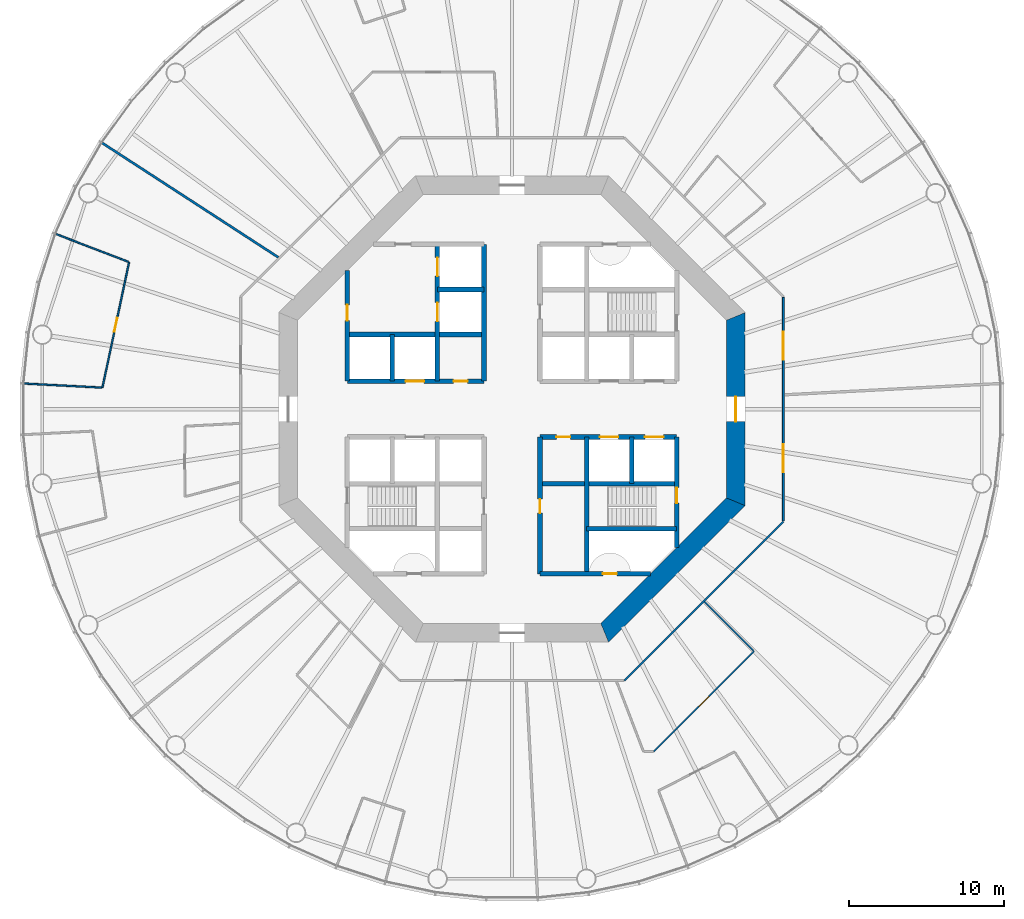
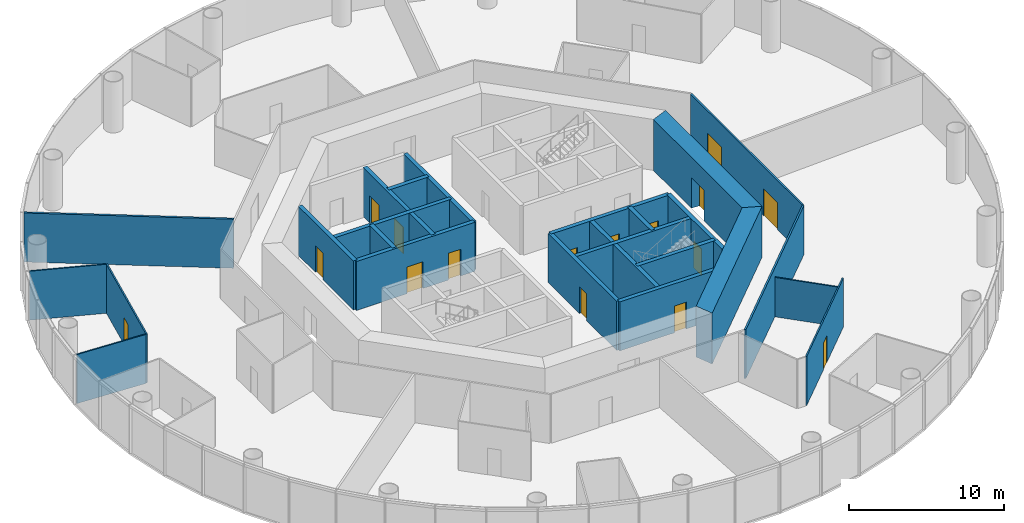
# One storey, part 4 of 13: 25 walls, 16 doors, 16 openings.
"""IFC4 building model written with IfcOpenShell, lengths in metres."""

from ifc_helpers import new_model, si_unit, direction, frame, frame_2d, origin, place, context, subcontext, project, spatial, polyline, rectangle, outline, extrude, material, layer, layer_set, type_object, element, fill, save


model = new_model("IFC4")

# Units and contexts
model_context = context("Model", 3, precision=1e-05, world=origin(), true_north=direction((0.0, 1.0)))
body_context = subcontext(model_context, "Body", "Model", "MODEL_VIEW")
ifc_project = project(units=[si_unit("LENGTHUNIT", "METRE"), si_unit("AREAUNIT", "SQUARE_METRE"), si_unit("VOLUMEUNIT", "CUBIC_METRE"), si_unit("PLANEANGLEUNIT", "RADIAN"), si_unit("MASSUNIT", "GRAM", prefix="KILO")], contexts=[model_context])

# Site, building, storey
site_placement = place(None, origin())
site = spatial("IfcSite", under=ifc_project, at=site_placement, CompositionType="ELEMENT")
building_placement = place(site_placement, origin())
building = spatial("IfcBuilding", under=site, at=building_placement, Name="Entoto Ring Tower", CompositionType="ELEMENT")
storey_placement = place(building_placement, frame((0.0, 0.0, 100.0)))
storey = spatial("IfcBuildingStorey", under=building, at=storey_placement, Name="L22", CompositionType="ELEMENT", Elevation=100.0)

# Wall, opening, door
ifc_material_1 = material(Name="Concrete C40/50", Category="concrete")
ifc_layer_1 = layer(ifc_material_1, 0.300048828125)
ifc_layer_set_1 = layer_set([ifc_layer_1], Name="Concrete C40/50")
wall_type_1 = type_object("IfcWallType", Name="Core enclosure wall 300 mm reinforced concrete", PredefinedType="SOLIDWALL", material=ifc_layer_set_1)
wall_1_placement = place(storey_placement, frame((100.60009765625, 71.083984375, 0.0), z_axis=(0.0, 0.0, 1.0), x_axis=(0.0, 1.0, 0.0)))
wall_1 = element("IfcWall", 1, at=wall_1_placement, inside=storey, type_object=wall_type_1, Name="wall-L22-001", PredefinedType="SOLIDWALL", context=body_context, shape_type="SweptSolid", body=[
    extrude(rectangle(XDim=7.115966796875, YDim=0.300048828125, at=frame_2d((3.55810546875, 0.0))), origin(), (0.0, 0.0, 1.0), 3.85009765625),
])
opening_1_placement = place(wall_1_placement, frame((2.8662109375, 0.0, 0.0)))
opening_1 = element("IfcOpeningElement", 2, at=opening_1_placement, cuts=wall_1, Name="Opening K-59", PredefinedType="OPENING", context=body_context, shape_type="SweptSolid", body=[
    extrude(rectangle(XDim=1.0, YDim=2.10009765625, at=frame_2d((0.5, 1.050048828125))), frame((0.0, 0.16015625, 0.0), z_axis=(0.0, -1.0, 0.0), x_axis=(1.0, 0.0, 0.0)), (0.0, 0.0, 1.0), 0.320068359375),
])
ifc_material_2 = material(Name="Steel door leaf, fire rated", Category="steel")
ifc_layer_2 = layer(ifc_material_2, 0.050048828125)
ifc_layer_set_2 = layer_set([ifc_layer_2], Name="Steel door leaf, fire rated")
door_type_1 = type_object("IfcDoorType", Name="Fire door FD60 1000 x 2100 single leaf", OperationType="NOTDEFINED", PredefinedType="DOOR", material=ifc_layer_set_2)
door_1_placement = place(opening_1_placement, origin())
door_1 = element("IfcDoor", 3, at=door_1_placement, inside=storey, type_object=door_type_1, Name="Door K-59", OperationType="SINGLE_SWING_RIGHT", OverallHeight=2.10009765625, OverallWidth=1.0, PredefinedType="DOOR", context=body_context, shape_type="SweptSolid", body=[
    extrude(rectangle(XDim=1.0, YDim=2.10009765625, at=frame_2d((0.5, 1.050048828125))), frame((0.0, 0.02490234375, 0.0), z_axis=(0.0, -1.0, 0.0), x_axis=(1.0, 0.0, 0.0)), (0.0, 0.0, 1.0), 0.050048828125),
])
fill(opening_1, door_1)

# Walls
wall_2_placement = place(storey_placement, frame((97.699951171875, 75.199951171875, 0.0), z_axis=(0.0, 0.0, 1.0), x_axis=(0.0, 1.0, 0.0)))
element("IfcWall", 4, at=wall_2_placement, inside=storey, type_object=wall_type_1, Name="wall-L22-003", PredefinedType="SOLIDWALL", context=body_context, shape_type="SweptSolid", body=[
    extrude(rectangle(XDim=3.0, YDim=0.300048828125, at=frame_2d((1.5, 0.0))), origin(), (0.0, 0.0, 1.0), 3.85009765625),
])
wall_3_placement = place(storey_placement, frame((94.800048828125, 69.39990234375, 0.0), z_axis=(0.0, 0.0, 1.0), x_axis=(0.0, 1.0, 0.0)))
element("IfcWall", 5, at=wall_3_placement, inside=storey, type_object=wall_type_1, Name="wall-L22-005", PredefinedType="SOLIDWALL", context=body_context, shape_type="SweptSolid", body=[
    extrude(rectangle(XDim=8.800048828125, YDim=0.300048828125, at=frame_2d((4.39990234375, 0.0))), origin(), (0.0, 0.0, 1.0), 3.85009765625),
])

# Wall, opening, door
wall_4_placement = place(storey_placement, frame((91.800048828125, 69.39990234375, 0.0), z_axis=(0.0, 0.0, 1.0), x_axis=(0.0, 1.0, 0.0)))
wall_4 = element("IfcWall", 6, at=wall_4_placement, inside=storey, type_object=wall_type_1, Name="wall-L22-007", PredefinedType="SOLIDWALL", context=body_context, shape_type="SweptSolid", body=[
    extrude(rectangle(XDim=8.800048828125, YDim=0.300048828125, at=frame_2d((4.39990234375, 0.0))), origin(), (0.0, 0.0, 1.0), 3.85009765625),
])
opening_2_placement = place(wall_4_placement, frame((3.89990234375, 0.0, 0.0)))
opening_2 = element("IfcOpeningElement", 7, at=opening_2_placement, cuts=wall_4, Name="Opening K-12", PredefinedType="OPENING", context=body_context, shape_type="SweptSolid", body=[
    extrude(rectangle(XDim=0.89990234375, YDim=2.10009765625, at=frame_2d((0.449951171875, 1.050048828125))), frame((0.0, 0.16015625, 0.0), z_axis=(0.0, -1.0, 0.0), x_axis=(1.0, 0.0, 0.0)), (0.0, 0.0, 1.0), 0.320068359375),
])
ifc_material_3 = material(Name="Steel door leaf, fire rated", Category="steel")
ifc_layer_3 = layer(ifc_material_3, 0.050048828125)
ifc_layer_set_3 = layer_set([ifc_layer_3], Name="Steel door leaf, fire rated")
door_type_2 = type_object("IfcDoorType", Name="Core door 900 x 2100 single leaf", OperationType="NOTDEFINED", PredefinedType="DOOR", material=ifc_layer_set_3)
door_2_placement = place(opening_2_placement, frame((0.89990234375, 0.0, 0.0), z_axis=(0.0, 0.0, 1.0), x_axis=(-1.0, 0.0, 0.0)))
door_2 = element("IfcDoor", 8, at=door_2_placement, inside=storey, type_object=door_type_2, Name="Door K-12", OperationType="SINGLE_SWING_LEFT", OverallHeight=2.10009765625, OverallWidth=0.89990234375, PredefinedType="DOOR", context=body_context, shape_type="SweptSolid", body=[
    extrude(rectangle(XDim=0.89990234375, YDim=2.10009765625, at=frame_2d((0.449951171875, 1.050048828125))), frame((0.0, 0.02490234375, 0.0), z_axis=(0.0, -1.0, 0.0), x_axis=(1.0, 0.0, 0.0)), (0.0, 0.0, 1.0), 0.050048828125),
])
fill(opening_2, door_2)

# Wall
wall_5_placement = place(storey_placement, frame((88.199951171875, 81.800048828125, 0.0), z_axis=(0.0, 0.0, 1.0), x_axis=(0.0, 1.0, 0.0)))
element("IfcWall", 9, at=wall_5_placement, inside=storey, type_object=wall_type_1, Name="wall-L22-010", PredefinedType="SOLIDWALL", context=body_context, shape_type="SweptSolid", body=[
    extrude(rectangle(XDim=8.800048828125, YDim=0.300048828125, at=frame_2d((4.39990234375, 0.0))), origin(), (0.0, 0.0, 1.0), 3.85009765625),
])

# Wall, openings, doors
wall_6_placement = place(storey_placement, frame((85.199951171875, 81.800048828125, 0.0), z_axis=(0.0, 0.0, 1.0), x_axis=(0.0, 1.0, 0.0)))
wall_6 = element("IfcWall", 10, at=wall_6_placement, inside=storey, type_object=wall_type_1, Name="wall-L22-012", PredefinedType="SOLIDWALL", context=body_context, shape_type="SweptSolid", body=[
    extrude(rectangle(XDim=8.800048828125, YDim=0.300048828125, at=frame_2d((4.39990234375, 0.0))), origin(), (0.0, 0.0, 1.0), 3.85009765625),
])
opening_3_placement = place(wall_6_placement, frame((3.85009765625, 0.0, 0.0)))
opening_3 = element("IfcOpeningElement", 11, at=opening_3_placement, cuts=wall_6, Name="Opening LD", PredefinedType="OPENING", context=body_context, shape_type="SweptSolid", body=[
    extrude(rectangle(XDim=1.199951171875, YDim=2.10009765625, at=frame_2d((0.60009765625, 1.050048828125))), frame((0.0, 0.16015625, 0.0), z_axis=(0.0, -1.0, 0.0), x_axis=(1.0, 0.0, 0.0)), (0.0, 0.0, 1.0), 0.320068359375),
])
opening_4_placement = place(wall_6_placement, frame((6.75, 0.0, 0.0)))
opening_4 = element("IfcOpeningElement", 12, at=opening_4_placement, cuts=wall_6, Name="Opening LD", PredefinedType="OPENING", context=body_context, shape_type="SweptSolid", body=[
    extrude(rectangle(XDim=1.199951171875, YDim=2.10009765625, at=frame_2d((0.60009765625, 1.050048828125))), frame((0.0, 0.16015625, 0.0), z_axis=(0.0, -1.0, 0.0), x_axis=(1.0, 0.0, 0.0)), (0.0, 0.0, 1.0), 0.320068359375),
])
ifc_material_4 = material(Name="Steel and glass door leaf", Category="steel")
ifc_layer_4 = layer(ifc_material_4, 0.050048828125)
ifc_layer_set_4 = layer_set([ifc_layer_4], Name="Steel and glass door leaf")
door_type_3 = type_object("IfcDoorType", Name="Landing door 1200 x 2100 sliding", OperationType="DOUBLE_DOOR_SLIDING", PredefinedType="DOOR", material=ifc_layer_set_4)
door_3_placement = place(opening_3_placement, origin())
door_3 = element("IfcDoor", 13, at=door_3_placement, inside=storey, type_object=door_type_3, Name="Landing door FF1", OperationType="SLIDING_TO_RIGHT", OverallHeight=2.10009765625, OverallWidth=1.199951171875, PredefinedType="DOOR", context=body_context, shape_type="SweptSolid", body=[
    extrude(rectangle(XDim=1.199951171875, YDim=2.10009765625, at=frame_2d((0.60009765625, 1.050048828125))), frame((0.0, 0.02490234375, 0.0), z_axis=(0.0, -1.0, 0.0), x_axis=(1.0, 0.0, 0.0)), (0.0, 0.0, 1.0), 0.050048828125),
])
fill(opening_3, door_3)
door_4_placement = place(opening_4_placement, origin())
door_4 = element("IfcDoor", 14, at=door_4_placement, inside=storey, type_object=door_type_3, Name="Landing door FF2", OperationType="SLIDING_TO_RIGHT", OverallHeight=2.10009765625, OverallWidth=1.199951171875, PredefinedType="DOOR", context=body_context, shape_type="SweptSolid", body=[
    extrude(rectangle(XDim=1.199951171875, YDim=2.10009765625, at=frame_2d((0.60009765625, 1.050048828125))), frame((0.0, 0.02490234375, 0.0), z_axis=(0.0, -1.0, 0.0), x_axis=(1.0, 0.0, 0.0)), (0.0, 0.0, 1.0), 0.050048828125),
])
fill(opening_4, door_4)

# Wall
wall_7_placement = place(storey_placement, frame((82.300048828125, 81.800048828125, 0.0), z_axis=(0.0, 0.0, 1.0), x_axis=(0.0, 1.0, 0.0)))
element("IfcWall", 15, at=wall_7_placement, inside=storey, type_object=wall_type_1, Name="wall-L22-014", PredefinedType="SOLIDWALL", context=body_context, shape_type="SweptSolid", body=[
    extrude(rectangle(XDim=3.0, YDim=0.300048828125, at=frame_2d((1.5, 0.0))), origin(), (0.0, 0.0, 1.0), 3.85009765625),
])

# Wall, opening, door
wall_8_placement = place(storey_placement, frame((79.39990234375, 81.800048828125, 0.0), z_axis=(0.0, 0.0, 1.0), x_axis=(0.0, 1.0, 0.0)))
wall_8 = element("IfcWall", 16, at=wall_8_placement, inside=storey, type_object=wall_type_1, Name="wall-L22-016", PredefinedType="SOLIDWALL", context=body_context, shape_type="SweptSolid", body=[
    extrude(rectangle(XDim=7.115966796875, YDim=0.300048828125, at=frame_2d((3.55810546875, 0.0))), origin(), (0.0, 0.0, 1.0), 3.85009765625),
])
opening_5_placement = place(wall_8_placement, frame((3.89990234375, 0.0, 0.0)))
opening_5 = element("IfcOpeningElement", 17, at=opening_5_placement, cuts=wall_8, Name="Opening K-22", PredefinedType="OPENING", context=body_context, shape_type="SweptSolid", body=[
    extrude(rectangle(XDim=1.0, YDim=2.10009765625, at=frame_2d((0.5, 1.050048828125))), frame((0.0, 0.16015625, 0.0), z_axis=(0.0, -1.0, 0.0), x_axis=(1.0, 0.0, 0.0)), (0.0, 0.0, 1.0), 0.320068359375),
])
door_5_placement = place(opening_5_placement, frame((1.0, 0.0, 0.0), z_axis=(0.0, 0.0, 1.0), x_axis=(-1.0, 0.0, 0.0)))
door_5 = element("IfcDoor", 18, at=door_5_placement, inside=storey, type_object=door_type_1, Name="Door K-22", OperationType="SINGLE_SWING_LEFT", OverallHeight=2.10009765625, OverallWidth=1.0, PredefinedType="DOOR", context=body_context, shape_type="SweptSolid", body=[
    extrude(rectangle(XDim=1.0, YDim=2.10009765625, at=frame_2d((0.5, 1.050048828125))), frame((0.0, 0.02490234375, 0.0), z_axis=(0.0, -1.0, 0.0), x_axis=(1.0, 0.0, 0.0)), (0.0, 0.0, 1.0), 0.050048828125),
])
fill(opening_5, door_5)

wall_9_placement = place(storey_placement, frame((91.800048828125, 69.39990234375, 0.0), z_axis=(0.0, 0.0, 1.0), x_axis=(1.0, 0.0, 0.0)))
wall_9 = element("IfcWall", 19, at=wall_9_placement, inside=storey, type_object=wall_type_1, Name="wall-L22-018", PredefinedType="SOLIDWALL", context=body_context, shape_type="SweptSolid", body=[
    extrude(rectangle(XDim=7.115966796875, YDim=0.300048828125, at=frame_2d((3.55810546875, 0.0))), origin(), (0.0, 0.0, 1.0), 3.85009765625),
])
opening_6_placement = place(wall_9_placement, frame((4.050048828125, 0.0, 0.0)))
opening_6 = element("IfcOpeningElement", 20, at=opening_6_placement, cuts=wall_9, Name="Opening K-66", PredefinedType="OPENING", context=body_context, shape_type="SweptSolid", body=[
    extrude(rectangle(XDim=0.89990234375, YDim=2.10009765625, at=frame_2d((0.449951171875, 1.050048828125))), frame((0.0, 0.16015625, 0.0), z_axis=(0.0, -1.0, 0.0), x_axis=(1.0, 0.0, 0.0)), (0.0, 0.0, 1.0), 0.320068359375),
])
ifc_material_5 = material(Name="Steel door leaf, fire rated", Category="steel")
ifc_layer_5 = layer(ifc_material_5, 0.050048828125)
ifc_layer_set_5 = layer_set([ifc_layer_5], Name="Steel door leaf, fire rated")
door_type_4 = type_object("IfcDoorType", Name="Riser door FD60 900 x 2100 single leaf", OperationType="NOTDEFINED", PredefinedType="DOOR", material=ifc_layer_set_5)
door_6_placement = place(opening_6_placement, origin())
door_6 = element("IfcDoor", 21, at=door_6_placement, inside=storey, type_object=door_type_4, Name="Door K-66", OperationType="SINGLE_SWING_LEFT", OverallHeight=2.10009765625, OverallWidth=0.89990234375, PredefinedType="DOOR", context=body_context, shape_type="SweptSolid", body=[
    extrude(rectangle(XDim=0.89990234375, YDim=2.10009765625, at=frame_2d((0.449951171875, 1.050048828125))), frame((0.0, 0.02490234375, 0.0), z_axis=(0.0, -1.0, 0.0), x_axis=(1.0, 0.0, 0.0)), (0.0, 0.0, 1.0), 0.050048828125),
])
fill(opening_6, door_6)

# Walls
wall_10_placement = place(storey_placement, frame((94.800048828125, 72.300048828125, 0.0), z_axis=(0.0, 0.0, 1.0), x_axis=(1.0, 0.0, 0.0)))
element("IfcWall", 22, at=wall_10_placement, inside=storey, type_object=wall_type_1, Name="wall-L22-020", PredefinedType="SOLIDWALL", context=body_context, shape_type="SweptSolid", body=[
    extrude(rectangle(XDim=5.800048828125, YDim=0.300048828125, at=frame_2d((2.89990234375, 0.0))), origin(), (0.0, 0.0, 1.0), 3.85009765625),
])
wall_11_placement = place(storey_placement, frame((91.800048828125, 75.199951171875, 0.0), z_axis=(0.0, 0.0, 1.0), x_axis=(1.0, 0.0, 0.0)))
element("IfcWall", 23, at=wall_11_placement, inside=storey, type_object=wall_type_1, Name="wall-L22-022", PredefinedType="SOLIDWALL", context=body_context, shape_type="SweptSolid", body=[
    extrude(rectangle(XDim=8.800048828125, YDim=0.300048828125, at=frame_2d((4.39990234375, 0.0))), origin(), (0.0, 0.0, 1.0), 3.85009765625),
])

# Wall, openings, doors
wall_12_placement = place(storey_placement, frame((91.800048828125, 78.199951171875, 0.0), z_axis=(0.0, 0.0, 1.0), x_axis=(1.0, 0.0, 0.0)))
wall_12 = element("IfcWall", 24, at=wall_12_placement, inside=storey, type_object=wall_type_1, Name="wall-L22-024", PredefinedType="SOLIDWALL", context=body_context, shape_type="SweptSolid", body=[
    extrude(rectangle(XDim=8.800048828125, YDim=0.300048828125, at=frame_2d((4.39990234375, 0.0))), origin(), (0.0, 0.0, 1.0), 3.85009765625),
])
opening_7_placement = place(wall_12_placement, frame((3.85009765625, 0.0, 0.0)))
opening_7 = element("IfcOpeningElement", 25, at=opening_7_placement, cuts=wall_12, Name="Opening LD", PredefinedType="OPENING", context=body_context, shape_type="SweptSolid", body=[
    extrude(rectangle(XDim=1.199951171875, YDim=2.10009765625, at=frame_2d((0.60009765625, 1.050048828125))), frame((0.0, 0.16015625, 0.0), z_axis=(0.0, -1.0, 0.0), x_axis=(1.0, 0.0, 0.0)), (0.0, 0.0, 1.0), 0.320068359375),
])
opening_8_placement = place(wall_12_placement, frame((6.75, 0.0, 0.0)))
opening_8 = element("IfcOpeningElement", 26, at=opening_8_placement, cuts=wall_12, Name="Opening LD", PredefinedType="OPENING", context=body_context, shape_type="SweptSolid", body=[
    extrude(rectangle(XDim=1.199951171875, YDim=2.10009765625, at=frame_2d((0.60009765625, 1.050048828125))), frame((0.0, 0.16015625, 0.0), z_axis=(0.0, -1.0, 0.0), x_axis=(1.0, 0.0, 0.0)), (0.0, 0.0, 1.0), 0.320068359375),
])
opening_9_placement = place(wall_12_placement, frame((1.050048828125, 0.0, 0.0)))
opening_9 = element("IfcOpeningElement", 27, at=opening_9_placement, cuts=wall_12, Name="Opening K-15", PredefinedType="OPENING", context=body_context, shape_type="SweptSolid", body=[
    extrude(rectangle(XDim=0.89990234375, YDim=2.10009765625, at=frame_2d((0.449951171875, 1.050048828125))), frame((0.0, 0.16015625, 0.0), z_axis=(0.0, -1.0, 0.0), x_axis=(1.0, 0.0, 0.0)), (0.0, 0.0, 1.0), 0.320068359375),
])
door_7_placement = place(opening_9_placement, frame((0.89990234375, 0.0, 0.0), z_axis=(0.0, 0.0, 1.0), x_axis=(-1.0, 0.0, 0.0)))
door_7 = element("IfcDoor", 28, at=door_7_placement, inside=storey, type_object=door_type_2, Name="Door K-15", OperationType="SINGLE_SWING_RIGHT", OverallHeight=2.10009765625, OverallWidth=0.89990234375, PredefinedType="DOOR", context=body_context, shape_type="SweptSolid", body=[
    extrude(rectangle(XDim=0.89990234375, YDim=2.10009765625, at=frame_2d((0.449951171875, 1.050048828125))), frame((0.0, 0.02490234375, 0.0), z_axis=(0.0, -1.0, 0.0), x_axis=(1.0, 0.0, 0.0)), (0.0, 0.0, 1.0), 0.050048828125),
])
fill(opening_9, door_7)
door_8_placement = place(opening_7_placement, origin())
door_8 = element("IfcDoor", 29, at=door_8_placement, inside=storey, type_object=door_type_3, Name="Landing door LB4-LR", OperationType="SLIDING_TO_RIGHT", OverallHeight=2.10009765625, OverallWidth=1.199951171875, PredefinedType="DOOR", context=body_context, shape_type="SweptSolid", body=[
    extrude(rectangle(XDim=1.199951171875, YDim=2.10009765625, at=frame_2d((0.60009765625, 1.050048828125))), frame((0.0, 0.02490234375, 0.0), z_axis=(0.0, -1.0, 0.0), x_axis=(1.0, 0.0, 0.0)), (0.0, 0.0, 1.0), 0.050048828125),
])
fill(opening_7, door_8)
door_9_placement = place(opening_8_placement, origin())
door_9 = element("IfcDoor", 30, at=door_9_placement, inside=storey, type_object=door_type_3, Name="Landing door LB5-LR", OperationType="SLIDING_TO_RIGHT", OverallHeight=2.10009765625, OverallWidth=1.199951171875, PredefinedType="DOOR", context=body_context, shape_type="SweptSolid", body=[
    extrude(rectangle(XDim=1.199951171875, YDim=2.10009765625, at=frame_2d((0.60009765625, 1.050048828125))), frame((0.0, 0.02490234375, 0.0), z_axis=(0.0, -1.0, 0.0), x_axis=(1.0, 0.0, 0.0)), (0.0, 0.0, 1.0), 0.050048828125),
])
fill(opening_8, door_9)

wall_13_placement = place(storey_placement, frame((79.39990234375, 81.800048828125, 0.0), z_axis=(0.0, 0.0, 1.0), x_axis=(1.0, 0.0, 0.0)))
wall_13 = element("IfcWall", 31, at=wall_13_placement, inside=storey, type_object=wall_type_1, Name="wall-L22-025", PredefinedType="SOLIDWALL", context=body_context, shape_type="SweptSolid", body=[
    extrude(rectangle(XDim=8.800048828125, YDim=0.300048828125, at=frame_2d((4.39990234375, 0.0))), origin(), (0.0, 0.0, 1.0), 3.85009765625),
])
opening_10_placement = place(wall_13_placement, frame((3.75, 0.0, 0.0)))
opening_10 = element("IfcOpeningElement", 32, at=opening_10_placement, cuts=wall_13, Name="Opening LD", PredefinedType="OPENING", context=body_context, shape_type="SweptSolid", body=[
    extrude(rectangle(XDim=1.199951171875, YDim=2.10009765625, at=frame_2d((0.60009765625, 1.050048828125))), frame((0.0, 0.16015625, 0.0), z_axis=(0.0, -1.0, 0.0), x_axis=(1.0, 0.0, 0.0)), (0.0, 0.0, 1.0), 0.320068359375),
])
opening_11_placement = place(wall_13_placement, frame((6.85009765625, 0.0, 0.0)))
opening_11 = element("IfcOpeningElement", 33, at=opening_11_placement, cuts=wall_13, Name="Opening K-14", PredefinedType="OPENING", context=body_context, shape_type="SweptSolid", body=[
    extrude(rectangle(XDim=0.89990234375, YDim=2.10009765625, at=frame_2d((0.449951171875, 1.050048828125))), frame((0.0, 0.16015625, 0.0), z_axis=(0.0, -1.0, 0.0), x_axis=(1.0, 0.0, 0.0)), (0.0, 0.0, 1.0), 0.320068359375),
])
door_10_placement = place(opening_11_placement, frame((0.89990234375, 0.0, 0.0), z_axis=(0.0, 0.0, 1.0), x_axis=(-1.0, 0.0, 0.0)))
door_10 = element("IfcDoor", 34, at=door_10_placement, inside=storey, type_object=door_type_2, Name="Door K-14", OperationType="SINGLE_SWING_RIGHT", OverallHeight=2.10009765625, OverallWidth=0.89990234375, PredefinedType="DOOR", context=body_context, shape_type="SweptSolid", body=[
    extrude(rectangle(XDim=0.89990234375, YDim=2.10009765625, at=frame_2d((0.449951171875, 1.050048828125))), frame((0.0, 0.02490234375, 0.0), z_axis=(0.0, -1.0, 0.0), x_axis=(1.0, 0.0, 0.0)), (0.0, 0.0, 1.0), 0.050048828125),
])
fill(opening_11, door_10)
door_11_placement = place(opening_10_placement, origin())
door_11 = element("IfcDoor", 35, at=door_11_placement, inside=storey, type_object=door_type_3, Name="Landing door LB3-LR", OperationType="SLIDING_TO_RIGHT", OverallHeight=2.10009765625, OverallWidth=1.199951171875, PredefinedType="DOOR", context=body_context, shape_type="SweptSolid", body=[
    extrude(rectangle(XDim=1.199951171875, YDim=2.10009765625, at=frame_2d((0.60009765625, 1.050048828125))), frame((0.0, 0.02490234375, 0.0), z_axis=(0.0, -1.0, 0.0), x_axis=(1.0, 0.0, 0.0)), (0.0, 0.0, 1.0), 0.050048828125),
])
fill(opening_10, door_11)

# Walls
wall_14_placement = place(storey_placement, frame((79.39990234375, 84.800048828125, 0.0), z_axis=(0.0, 0.0, 1.0), x_axis=(1.0, 0.0, 0.0)))
element("IfcWall", 36, at=wall_14_placement, inside=storey, type_object=wall_type_1, Name="wall-L22-027", PredefinedType="SOLIDWALL", context=body_context, shape_type="SweptSolid", body=[
    extrude(rectangle(XDim=8.800048828125, YDim=0.300048828125, at=frame_2d((4.39990234375, 0.0))), origin(), (0.0, 0.0, 1.0), 3.85009765625),
])
wall_15_placement = place(storey_placement, frame((85.199951171875, 87.699951171875, 0.0), z_axis=(0.0, 0.0, 1.0), x_axis=(1.0, 0.0, 0.0)))
element("IfcWall", 37, at=wall_15_placement, inside=storey, type_object=wall_type_1, Name="wall-L22-029", PredefinedType="SOLIDWALL", context=body_context, shape_type="SweptSolid", body=[
    extrude(rectangle(XDim=3.0, YDim=0.300048828125, at=frame_2d((1.5, 0.0))), origin(), (0.0, 0.0, 1.0), 3.85009765625),
])

# Wall, opening, door
ifc_material_6 = material(Name="Concrete C60/75", Category="concrete")
ifc_layer_6 = layer(ifc_material_6, 1.199951171875)
ifc_layer_set_6 = layer_set([ifc_layer_6], Name="Concrete C60/75")
wall_type_2 = type_object("IfcWallType", Name="Core shear wall 1200 mm reinforced concrete C60/75", PredefinedType="SHEAR", material=ifc_layer_set_6)
wall_16_placement = place(storey_placement, frame((104.39990234375, 74.035400390625, 0.0), z_axis=(0.0, 0.0, 1.0), x_axis=(0.0, 1.0, 0.0)))
wall_16 = element("IfcWall", 38, at=wall_16_placement, inside=storey, type_object=wall_type_2, Name="wall-L22-core-0", PredefinedType="SHEAR", context=body_context, shape_type="SweptSolid", body=[
    extrude(outline(polyline([(-0.24853515625, -0.60009765625), (12.177734375, -0.60009765625), (11.6806640625, 0.60009765625), (0.24853515625, 0.60009765625), (-0.24853515625, -0.60009765625)])), origin(), (0.0, 0.0, 1.0), 4.0),
])
opening_12_placement = place(wall_16_placement, frame((5.164794921875, 0.0, 0.0)))
opening_12 = element("IfcOpeningElement", 39, at=opening_12_placement, cuts=wall_16, Name="Opening K-01", PredefinedType="OPENING", context=body_context, shape_type="SweptSolid", body=[
    extrude(rectangle(XDim=1.60009765625, YDim=2.39990234375, at=frame_2d((0.800048828125, 1.199951171875))), frame((0.0, 0.60986328125, 0.0), z_axis=(0.0, -1.0, 0.0), x_axis=(1.0, 0.0, 0.0)), (0.0, 0.0, 1.0), 1.219970703125),
])
ifc_material_7 = material(Name="Steel door leaf, fire rated", Category="steel")
ifc_layer_7 = layer(ifc_material_7, 0.050048828125)
ifc_layer_set_7 = layer_set([ifc_layer_7], Name="Steel door leaf, fire rated")
door_type_5 = type_object("IfcDoorType", Name="Entrance door FD60 1600 x 2400 double leaf", OperationType="DOUBLE_DOOR_SINGLE_SWING", PredefinedType="DOOR", material=ifc_layer_set_7)
door_12_placement = place(opening_12_placement, origin())
door_12 = element("IfcDoor", 40, at=door_12_placement, inside=storey, type_object=door_type_5, Name="Entrance door K-01", OperationType="DOUBLE_DOOR_SINGLE_SWING", OverallHeight=2.39990234375, OverallWidth=1.60009765625, PredefinedType="DOOR", context=body_context, shape_type="SweptSolid", body=[
    extrude(rectangle(XDim=1.60009765625, YDim=2.39990234375, at=frame_2d((0.800048828125, 1.199951171875))), frame((0.0, 0.02490234375, 0.0), z_axis=(0.0, -1.0, 0.0), x_axis=(1.0, 0.0, 0.0)), (0.0, 0.0, 1.0), 0.050048828125),
])
fill(opening_12, door_12)

# Walls
wall_17_placement = place(storey_placement, frame((95.964599609375, 65.60009765625, 0.0), z_axis=(0.0, 0.0, 1.0), x_axis=(0.707106781187, 0.707106781187, 0.0)))
element("IfcWall", 41, at=wall_17_placement, inside=storey, type_object=wall_type_2, Name="wall-L22-core-7", PredefinedType="SHEAR", context=body_context, shape_type="SweptSolid", body=[
    extrude(outline(polyline([(-0.24853515625, -0.60009765625), (12.177734375, -0.60009765625), (11.6806640625, 0.60009765625), (0.24853515625, 0.60009765625), (-0.24853515625, -0.60009765625)])), origin(), (0.0, 0.0, 1.0), 4.0),
])
ifc_material_8 = material(Name="Fire-resisting plasterboard on steel studs", Category="steel")
ifc_layer_8 = layer(ifc_material_8, 0.125)
ifc_layer_set_8 = layer_set([ifc_layer_8], Name="Fire-resisting plasterboard on steel studs")
wall_type_3 = type_object("IfcWallType", Name="Corridor wall 125 mm one-hour plasterboard on steel studs", PredefinedType="PARTITIONING", material=ifc_layer_set_8)
wall_18_placement = place(storey_placement, frame((97.233154296875, 62.53759765625, 0.0), z_axis=(0.0, 0.0, 1.0), x_axis=(0.707106781187, 0.707106781187, 0.0)))
element("IfcWall", 42, at=wall_18_placement, inside=storey, type_object=wall_type_3, Name="partition-L22-003", PredefinedType="PARTITIONING", context=body_context, shape_type="SweptSolid", body=[
    extrude(rectangle(XDim=14.46630859375, YDim=0.125, at=frame_2d((7.233154296875, 0.0))), origin(), (0.0, 0.0, 1.0), 3.85009765625),
])

# Wall, openings, doors
wall_19_placement = place(storey_placement, frame((107.46240234375, 72.810791015625, 0.0), z_axis=(0.0, 0.0, 1.0), x_axis=(0.0, 1.0, 0.0)))
wall_19 = element("IfcWall", 43, at=wall_19_placement, inside=storey, type_object=wall_type_3, Name="partition-L22-008", PredefinedType="PARTITIONING", context=body_context, shape_type="SweptSolid", body=[
    extrude(rectangle(XDim=14.37841796875, YDim=0.125, at=frame_2d((7.189208984375, 0.0))), origin(), (0.0, 0.0, 1.0), 3.85009765625),
])
opening_13_placement = place(wall_19_placement, frame((3.13037109375, 0.0, 0.0)))
opening_13 = element("IfcOpeningElement", 44, at=opening_13_placement, cuts=wall_19, Name="Opening A09-D01", PredefinedType="OPENING", context=body_context, shape_type="SweptSolid", body=[
    extrude(rectangle(XDim=1.800048828125, YDim=2.10009765625, at=frame_2d((0.89990234375, 1.050048828125))), frame((0.0, 0.072509765625, 0.0), z_axis=(0.0, -1.0, 0.0), x_axis=(1.0, 0.0, 0.0)), (0.0, 0.0, 1.0), 0.14501953125),
])
opening_14_placement = place(wall_19_placement, frame((10.36328125, 0.0, 0.0)))
opening_14 = element("IfcOpeningElement", 45, at=opening_14_placement, cuts=wall_19, Name="Opening A09-D04", PredefinedType="OPENING", context=body_context, shape_type="SweptSolid", body=[
    extrude(rectangle(XDim=1.800048828125, YDim=2.10009765625, at=frame_2d((0.89990234375, 1.050048828125))), frame((0.0, 0.072509765625, 0.0), z_axis=(0.0, -1.0, 0.0), x_axis=(1.0, 0.0, 0.0)), (0.0, 0.0, 1.0), 0.14501953125),
])
ifc_material_9 = material(Name="Fire-resisting timber door set", Category="wood")
door_type_6 = type_object("IfcDoorType", Name="Door 1800 x 2100 double leaf FD30S fire door", OperationType="DOUBLE_DOOR_SINGLE_SWING", PredefinedType="DOOR", material=ifc_material_9)
door_13_placement = place(opening_13_placement, frame((1.800048828125, 0.0, 0.0), z_axis=(0.0, 0.0, 1.0), x_axis=(-1.0, 0.0, 0.0)))
door_13 = element("IfcDoor", 46, at=door_13_placement, inside=storey, type_object=door_type_6, Name="Door A09-D01", OperationType="DOUBLE_DOOR_SINGLE_SWING", OverallHeight=2.10009765625, OverallWidth=1.800048828125, PredefinedType="DOOR", context=body_context, shape_type="SweptSolid", body=[
    extrude(rectangle(XDim=1.800048828125, YDim=2.10009765625, at=frame_2d((0.89990234375, 1.050048828125))), frame((0.0, 0.02490234375, 0.0), z_axis=(0.0, -1.0, 0.0), x_axis=(1.0, 0.0, 0.0)), (0.0, 0.0, 1.0), 0.050048828125),
])
fill(opening_13, door_13)
door_14_placement = place(opening_14_placement, frame((1.800048828125, 0.0, 0.0), z_axis=(0.0, 0.0, 1.0), x_axis=(-1.0, 0.0, 0.0)))
door_14 = element("IfcDoor", 47, at=door_14_placement, inside=storey, type_object=door_type_6, Name="Door A09-D04", OperationType="DOUBLE_DOOR_SINGLE_SWING", OverallHeight=2.10009765625, OverallWidth=1.800048828125, PredefinedType="DOOR", context=body_context, shape_type="SweptSolid", body=[
    extrude(rectangle(XDim=1.800048828125, YDim=2.10009765625, at=frame_2d((0.89990234375, 1.050048828125))), frame((0.0, 0.02490234375, 0.0), z_axis=(0.0, -1.0, 0.0), x_axis=(1.0, 0.0, 0.0)), (0.0, 0.0, 1.0), 0.050048828125),
])
fill(opening_14, door_14)

# Wall, opening, door
ifc_material_10 = material(Name="Plasterboard on steel studs", Category="steel")
ifc_layer_9 = layer(ifc_material_10, 0.10009765625)
ifc_layer_set_9 = layer_set([ifc_layer_9], Name="Plasterboard on steel studs")
wall_type_4 = type_object("IfcWallType", Name="Partition 100 mm plasterboard on steel studs", PredefinedType="PARTITIONING", material=ifc_layer_set_9)
wall_20_placement = place(storey_placement, frame((99.126220703125, 57.967529296875, 0.0), z_axis=(0.0, 0.0, 1.0), x_axis=(0.707106781187, 0.707106781187, 0.0)))
wall_20 = element("IfcWall", 48, at=wall_20_placement, inside=storey, type_object=wall_type_4, Name="partition-L22-014", PredefinedType="PARTITIONING", context=body_context, shape_type="SweptSolid", body=[
    extrude(rectangle(XDim=9.1259765625, YDim=0.10009765625, at=frame_2d((4.56298828125, 0.0))), origin(), (0.0, 0.0, 1.0), 3.85009765625),
])
opening_15_placement = place(wall_20_placement, frame((4.113037109375, 0.0, 0.0)))
opening_15 = element("IfcOpeningElement", 49, at=opening_15_placement, cuts=wall_20, Name="Opening A09-D02", PredefinedType="OPENING", context=body_context, shape_type="SweptSolid", body=[
    extrude(rectangle(XDim=0.89990234375, YDim=2.10009765625, at=frame_2d((0.449951171875, 1.050048828125))), frame((0.0, 0.06005859375, 0.0), z_axis=(0.0, -1.0, 0.0), x_axis=(1.0, 0.0, 0.0)), (0.0, 0.0, 1.0), 0.1201171875),
])
ifc_material_11 = material(Name="Veneered timber door leaf in timber frame", Category="wood")
door_type_7 = type_object("IfcDoorType", Name="Door 900 x 2100 single leaf timber veneer", OperationType="NOTDEFINED", PredefinedType="DOOR", material=ifc_material_11)
door_15_placement = place(opening_15_placement, origin())
door_15 = element("IfcDoor", 50, at=door_15_placement, inside=storey, type_object=door_type_7, Name="Door A09-D02", OperationType="SINGLE_SWING_RIGHT", OverallHeight=2.10009765625, OverallWidth=0.89990234375, PredefinedType="DOOR", context=body_context, shape_type="SweptSolid", body=[
    extrude(rectangle(XDim=0.89990234375, YDim=2.10009765625, at=frame_2d((0.449951171875, 1.050048828125))), frame((0.0, 0.02490234375, 0.0), z_axis=(0.0, -1.0, 0.0), x_axis=(1.0, 0.0, 0.0)), (0.0, 0.0, 1.0), 0.050048828125),
])
fill(opening_15, door_15)

wall_21_placement = place(storey_placement, frame((63.646240234375, 81.381103515625, 0.0), z_axis=(0.0, 0.0, 1.0), x_axis=(0.207901193137, 0.978149832026, 0.0)))
wall_21 = element("IfcWall", 51, at=wall_21_placement, inside=storey, type_object=wall_type_4, Name="partition-L22-016", PredefinedType="PARTITIONING", context=body_context, shape_type="SweptSolid", body=[
    extrude(rectangle(XDim=8.256591796875, YDim=0.10009765625, at=frame_2d((4.12841796875, 0.0))), origin(), (0.0, 0.0, 1.0), 3.85009765625),
])
opening_16_placement = place(wall_21_placement, frame((3.67822265625, 0.0, 0.0)))
opening_16 = element("IfcOpeningElement", 52, at=opening_16_placement, cuts=wall_21, Name="Opening A09-D12", PredefinedType="OPENING", context=body_context, shape_type="SweptSolid", body=[
    extrude(rectangle(XDim=0.89990234375, YDim=2.10009765625, at=frame_2d((0.449951171875, 1.050048828125))), frame((0.0, 0.06005859375, 0.0), z_axis=(0.0, -1.0, 0.0), x_axis=(1.0, 0.0, 0.0)), (0.0, 0.0, 1.0), 0.1201171875),
])
door_16_placement = place(opening_16_placement, origin())
door_16 = element("IfcDoor", 53, at=door_16_placement, inside=storey, type_object=door_type_7, Name="Door A09-D12", OperationType="SINGLE_SWING_LEFT", OverallHeight=2.10009765625, OverallWidth=0.89990234375, PredefinedType="DOOR", context=body_context, shape_type="SweptSolid", body=[
    extrude(rectangle(XDim=0.89990234375, YDim=2.10009765625, at=frame_2d((0.449951171875, 1.050048828125))), frame((0.0, 0.02490234375, 0.0), z_axis=(0.0, -1.0, 0.0), x_axis=(1.0, 0.0, 0.0)), (0.0, 0.0, 1.0), 0.050048828125),
])
fill(opening_16, door_16)

# Walls
for number, where, z_axis, x_axis, name in (
    (54, (63.596923828125, 81.3837890625, 0.0), (0.0, 0.0, 1.0), (-0.998629537626, 0.052335901459, 0.0), "partition-L22-022"),
    (55, (65.31689453125, 89.47509765625, 0.0), (0.0, 0.0, 1.0), (-0.933590747986, 0.358341059991, 0.0), "partition-L22-023"),
):
    element("IfcWall", number, at=place(storey_placement, frame(where, z_axis=z_axis, x_axis=x_axis)), inside=storey, type_object=wall_type_4, Name=name, PredefinedType="PARTITIONING", context=body_context, shape_type="SweptSolid", body=[
        extrude(rectangle(XDim=5.000732421875, YDim=0.10009765625, at=frame_2d((2.50048828125, 0.0))), origin(), (0.0, 0.0, 1.0), 3.85009765625),
    ])
ifc_material_12 = material(Name="Plasterboard on steel studs", Category="steel")
ifc_layer_10 = layer(ifc_material_12, 0.10009765625)
ifc_layer_set_10 = layer_set([ifc_layer_10], Name="Plasterboard on steel studs")
wall_type_5 = type_object("IfcWallType", Name="Partition 100 mm plasterboard on steel studs, 3097 mm high", PredefinedType="PARTITIONING", material=ifc_layer_set_10)
wall_22_placement = place(storey_placement, frame((105.5439453125, 64.4560546875, 0.0), z_axis=(0.0, 0.0, 1.0), x_axis=(-0.707106781187, 0.707106781187, 0.0)))
element("IfcWall", 56, at=wall_22_placement, inside=storey, type_object=wall_type_5, Name="partition-L22-033", PredefinedType="PARTITIONING", context=body_context, shape_type="SweptSolid", body=[
    extrude(rectangle(XDim=4.457275390625, YDim=0.10009765625, at=frame_2d((2.228515625, 0.0))), origin(), (0.0, 0.0, 1.0), 3.096923828125),
])
ifc_material_13 = material(Name="Fire-resisting acoustic plasterboard on steel studs", Category="steel")
ifc_layer_11 = layer(ifc_material_13, 0.14990234375)
ifc_layer_set_11 = layer_set([ifc_layer_11], Name="Fire-resisting acoustic plasterboard on steel studs")
wall_type_6 = type_object("IfcWallType", Name="Party wall 150 mm one-hour acoustic plasterboard on steel studs", PredefinedType="PARTITIONING", material=ifc_layer_set_11)
wall_23_placement = place(storey_placement, frame((74.960693359375, 89.7666015625, 0.0), z_axis=(0.0, 0.0, 1.0), x_axis=(-0.838669008766, 0.544641435933, 0.0)))
element("IfcWall", 57, at=wall_23_placement, inside=storey, type_object=wall_type_6, Name="partition-L22-012", PredefinedType="PARTITIONING", context=body_context, shape_type="SweptSolid", body=[
    extrude(rectangle(XDim=13.5078125, YDim=0.14990234375, at=frame_2d((6.75390625, 0.0))), origin(), (0.0, 0.0, 1.0), 3.85009765625),
])

save(model, "model.ifc")
